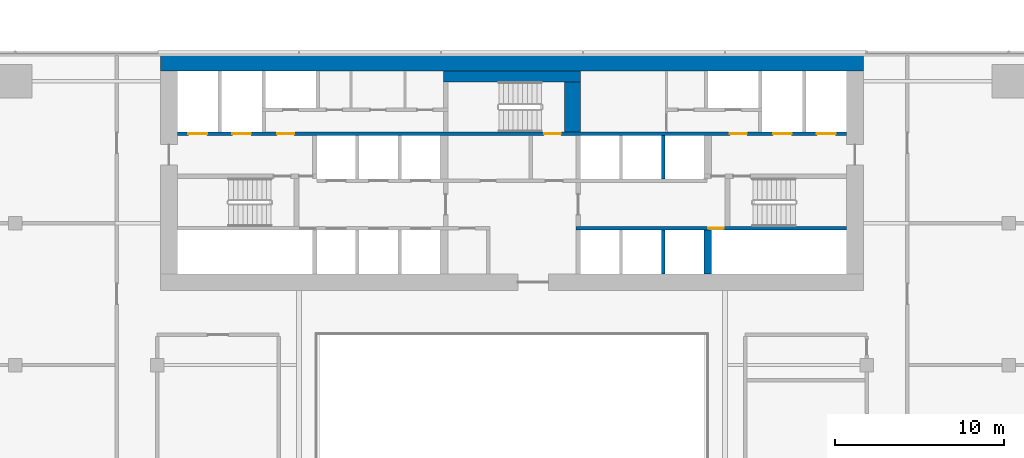
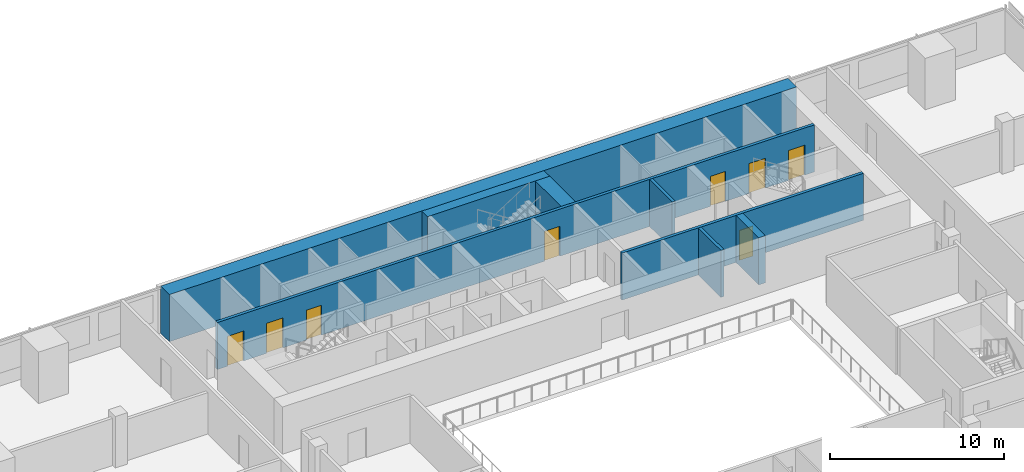
# One storey, part 21 of 26: 8 doors, 8 walls, 8 openings.
"""IFC4 building model written with IfcOpenShell, lengths in metres."""

from ifc_helpers import new_model, si_unit, direction, frame, frame_2d, origin, place, context, subcontext, project, spatial, rectangle, extrude, material, layer, layer_set, type_object, element, fill, save


model = new_model("IFC4")

# Units and contexts
model_context = context("Model", 3, precision=1e-05, world=origin(), true_north=direction((0.0, 1.0)))
body_context = subcontext(model_context, "Body", "Model", "MODEL_VIEW")
ifc_project = project(units=[si_unit("LENGTHUNIT", "METRE"), si_unit("AREAUNIT", "SQUARE_METRE"), si_unit("VOLUMEUNIT", "CUBIC_METRE"), si_unit("PLANEANGLEUNIT", "RADIAN"), si_unit("MASSUNIT", "GRAM", prefix="KILO")], contexts=[model_context])

# Site, building, storey
site_placement = place(None, origin())
site = spatial("IfcSite", under=ifc_project, at=site_placement, CompositionType="ELEMENT")
building_placement = place(site_placement, origin())
building = spatial("IfcBuilding", under=site, at=building_placement, Name="Saffron Gate Tower", CompositionType="ELEMENT")
storey_placement = place(building_placement, frame((0.0, 0.0, 138.449951171875)))
storey = spatial("IfcBuildingStorey", under=building, at=storey_placement, Name="L33", CompositionType="ELEMENT", Elevation=138.449951171875)

# Walls
ifc_material_1 = material(Name="Concrete C70", Category="concrete")
ifc_layer_1 = layer(ifc_material_1, 1.0)
ifc_layer_set_1 = layer_set([ifc_layer_1], Name="CW12 RC core wall 1000 C70")
wall_type_1 = type_object("IfcWallType", Name="CW12 RC core wall 1000 C70", PredefinedType="SOLIDWALL", material=ifc_layer_set_1)
wall_1_placement = place(storey_placement, frame((66.800048828125, 74.89990234375, 0.0), z_axis=(0.0, 0.0, 1.0), x_axis=(1.0, 0.0, 0.0)))
element("IfcWall", 1, at=wall_1_placement, inside=storey, type_object=wall_type_1, Name="Wall CW12-L33-2", PredefinedType="SOLIDWALL", context=body_context, shape_type="SweptSolid", body=[
    extrude(rectangle(XDim=41.599853515625, YDim=1.0, at=frame_2d((20.7998046875, 0.0))), origin(), (0.0, 0.0, 1.0), 3.300048828125),
])
ifc_layer_2 = layer(ifc_material_1, 0.199951171875)
ifc_layer_set_2 = layer_set([ifc_layer_2], Name="CW3 RC core wall 200 C70")
wall_type_2 = type_object("IfcWallType", Name="CW3 RC core wall 200 C70", PredefinedType="SOLIDWALL", material=ifc_layer_set_2)
wall_2_placement = place(storey_placement, frame((96.550048828125, 62.39990234375, 0.0), z_axis=(0.0, 0.0, 1.0), x_axis=(0.0, 1.0, 0.0)))
element("IfcWall", 2, at=wall_2_placement, inside=storey, type_object=wall_type_2, Name="Wall CW3-L33-12", PredefinedType="SOLIDWALL", context=body_context, shape_type="SweptSolid", body=[
    extrude(rectangle(XDim=2.60009765625, YDim=0.199951171875, at=frame_2d((1.300048828125, 0.0))), origin(), (0.0, 0.0, 1.0), 3.300048828125),
])

# Wall, opening, door
wall_3_placement = place(storey_placement, frame((91.39990234375, 65.10009765625, 0.0), z_axis=(0.0, 0.0, 1.0), x_axis=(1.0, 0.0, 0.0)))
wall_3 = element("IfcWall", 3, at=wall_3_placement, inside=storey, type_object=wall_type_2, Name="Wall CW3-L33-15", PredefinedType="SOLIDWALL", context=body_context, shape_type="SweptSolid", body=[
    extrude(rectangle(XDim=16.0, YDim=0.199951171875, at=frame_2d((8.0, 0.0))), origin(), (0.0, 0.0, 1.0), 3.300048828125),
])
opening_1_placement = place(wall_3_placement, frame((7.830078125, 0.0, 0.0)))
opening_1 = element("IfcOpeningElement", 4, at=opening_1_placement, cuts=wall_3, Name="Opening CR-48", PredefinedType="OPENING", context=body_context, shape_type="SweptSolid", body=[
    extrude(rectangle(XDim=0.89990234375, YDim=2.10009765625, at=frame_2d((0.449951171875, 1.050048828125))), frame((0.0, 0.10986328125, 0.0), z_axis=(0.0, -1.0, 0.0), x_axis=(1.0, 0.0, 0.0)), (0.0, 0.0, 1.0), 0.219970703125),
])
ifc_material_2 = material(Name="Steel fire door set", Category="steel")
door_type_1 = type_object("IfcDoorType", Name="CD2 Riser door 900x2100 EI 60", OperationType="NOTDEFINED", PredefinedType="DOOR", material=ifc_material_2)
door_1_placement = place(opening_1_placement, origin())
door_1 = element("IfcDoor", 5, at=door_1_placement, inside=storey, type_object=door_type_1, Name="DOOR CR-48", OperationType="SINGLE_SWING_RIGHT", OverallHeight=2.10009765625, OverallWidth=0.89990234375, PredefinedType="DOOR", context=body_context, shape_type="SweptSolid", body=[
    extrude(rectangle(XDim=0.89990234375, YDim=2.10009765625, at=frame_2d((0.449951171875, 1.050048828125))), frame((0.0, 0.02490234375, 0.0), z_axis=(0.0, -1.0, 0.0), x_axis=(1.0, 0.0, 0.0)), (0.0, 0.0, 1.0), 0.050048828125),
])
fill(opening_1, door_1)

# Wall
wall_4_placement = place(storey_placement, frame((96.550048828125, 68.0, 0.0), z_axis=(0.0, 0.0, 1.0), x_axis=(0.0, 1.0, 0.0)))
element("IfcWall", 6, at=wall_4_placement, inside=storey, type_object=wall_type_2, Name="Wall CW3-L33-27", PredefinedType="SOLIDWALL", context=body_context, shape_type="SweptSolid", body=[
    extrude(rectangle(XDim=2.60009765625, YDim=0.199951171875, at=frame_2d((1.300048828125, 0.0))), origin(), (0.0, 0.0, 1.0), 3.300048828125),
])

# Wall, openings, doors
wall_5_placement = place(storey_placement, frame((67.800048828125, 70.699951171875, 0.0), z_axis=(0.0, 0.0, 1.0), x_axis=(1.0, 0.0, 0.0)))
wall_5 = element("IfcWall", 7, at=wall_5_placement, inside=storey, type_object=wall_type_2, Name="Wall CW3-L33-33", PredefinedType="SOLIDWALL", context=body_context, shape_type="SweptSolid", body=[
    extrude(rectangle(XDim=39.599853515625, YDim=0.199951171875, at=frame_2d((19.7998046875, 0.0))), origin(), (0.0, 0.0, 1.0), 3.300048828125),
])
opening_2_placement = place(wall_5_placement, frame((0.64990234375, 0.0, 0.0)))
opening_2 = element("IfcOpeningElement", 8, at=opening_2_placement, cuts=wall_5, Name="Opening LD-FF1", PredefinedType="OPENING", context=body_context, shape_type="SweptSolid", body=[
    extrude(rectangle(XDim=1.10009765625, YDim=2.10009765625, at=frame_2d((0.550048828125, 1.050048828125))), frame((0.0, 0.10986328125, 0.0), z_axis=(0.0, -1.0, 0.0), x_axis=(1.0, 0.0, 0.0)), (0.0, 0.0, 1.0), 0.219970703125),
])
opening_3_placement = place(wall_5_placement, frame((3.25, 0.0, 0.0)))
opening_3 = element("IfcOpeningElement", 9, at=opening_3_placement, cuts=wall_5, Name="Opening LD-SV1", PredefinedType="OPENING", context=body_context, shape_type="SweptSolid", body=[
    extrude(rectangle(XDim=1.10009765625, YDim=2.10009765625, at=frame_2d((0.550048828125, 1.050048828125))), frame((0.0, 0.10986328125, 0.0), z_axis=(0.0, -1.0, 0.0), x_axis=(1.0, 0.0, 0.0)), (0.0, 0.0, 1.0), 0.219970703125),
])
opening_4_placement = place(wall_5_placement, frame((5.89990234375, 0.0, 0.0)))
opening_4 = element("IfcOpeningElement", 10, at=opening_4_placement, cuts=wall_5, Name="Opening CR-03", PredefinedType="OPENING", context=body_context, shape_type="SweptSolid", body=[
    extrude(rectangle(XDim=1.0, YDim=2.10009765625, at=frame_2d((0.5, 1.050048828125))), frame((0.0, 0.10986328125, 0.0), z_axis=(0.0, -1.0, 0.0), x_axis=(1.0, 0.0, 0.0)), (0.0, 0.0, 1.0), 0.219970703125),
])
opening_5_placement = place(wall_5_placement, frame((21.699951171875, 0.0, 0.0)))
opening_5 = element("IfcOpeningElement", 11, at=opening_5_placement, cuts=wall_5, Name="Opening CR-17", PredefinedType="OPENING", context=body_context, shape_type="SweptSolid", body=[
    extrude(rectangle(XDim=1.0, YDim=2.10009765625, at=frame_2d((0.5, 1.050048828125))), frame((0.0, 0.10986328125, 0.0), z_axis=(0.0, -1.0, 0.0), x_axis=(1.0, 0.0, 0.0)), (0.0, 0.0, 1.0), 0.219970703125),
])
opening_6_placement = place(wall_5_placement, frame((32.699951171875, 0.0, 0.0)))
opening_6 = element("IfcOpeningElement", 12, at=opening_6_placement, cuts=wall_5, Name="Opening CR-04", PredefinedType="OPENING", context=body_context, shape_type="SweptSolid", body=[
    extrude(rectangle(XDim=1.0, YDim=2.10009765625, at=frame_2d((0.5, 1.050048828125))), frame((0.0, 0.10986328125, 0.0), z_axis=(0.0, -1.0, 0.0), x_axis=(1.0, 0.0, 0.0)), (0.0, 0.0, 1.0), 0.219970703125),
])
opening_7_placement = place(wall_5_placement, frame((35.25, 0.0, 0.0)))
opening_7 = element("IfcOpeningElement", 13, at=opening_7_placement, cuts=wall_5, Name="Opening LD-SV2", PredefinedType="OPENING", context=body_context, shape_type="SweptSolid", body=[
    extrude(rectangle(XDim=1.10009765625, YDim=2.10009765625, at=frame_2d((0.550048828125, 1.050048828125))), frame((0.0, 0.10986328125, 0.0), z_axis=(0.0, -1.0, 0.0), x_axis=(1.0, 0.0, 0.0)), (0.0, 0.0, 1.0), 0.219970703125),
])
opening_8_placement = place(wall_5_placement, frame((37.85009765625, 0.0, 0.0)))
opening_8 = element("IfcOpeningElement", 14, at=opening_8_placement, cuts=wall_5, Name="Opening LD-FF2", PredefinedType="OPENING", context=body_context, shape_type="SweptSolid", body=[
    extrude(rectangle(XDim=1.10009765625, YDim=2.10009765625, at=frame_2d((0.550048828125, 1.050048828125))), frame((0.0, 0.10986328125, 0.0), z_axis=(0.0, -1.0, 0.0), x_axis=(1.0, 0.0, 0.0)), (0.0, 0.0, 1.0), 0.219970703125),
])
door_type_2 = type_object("IfcDoorType", Name="CD4 Lobby door 1000x2100 EI 120", OperationType="NOTDEFINED", PredefinedType="DOOR", material=ifc_material_2)
door_2_placement = place(opening_4_placement, origin())
door_2 = element("IfcDoor", 15, at=door_2_placement, inside=storey, type_object=door_type_2, Name="DOOR CR-03", OperationType="SINGLE_SWING_LEFT", OverallHeight=2.10009765625, OverallWidth=1.0, PredefinedType="DOOR", context=body_context, shape_type="SweptSolid", body=[
    extrude(rectangle(XDim=1.0, YDim=2.10009765625, at=frame_2d((0.5, 1.050048828125))), frame((0.0, 0.02490234375, 0.0), z_axis=(0.0, -1.0, 0.0), x_axis=(1.0, 0.0, 0.0)), (0.0, 0.0, 1.0), 0.050048828125),
])
fill(opening_4, door_2)
door_3_placement = place(opening_6_placement, origin())
door_3 = element("IfcDoor", 16, at=door_3_placement, inside=storey, type_object=door_type_2, Name="DOOR CR-04", OperationType="SINGLE_SWING_RIGHT", OverallHeight=2.10009765625, OverallWidth=1.0, PredefinedType="DOOR", context=body_context, shape_type="SweptSolid", body=[
    extrude(rectangle(XDim=1.0, YDim=2.10009765625, at=frame_2d((0.5, 1.050048828125))), frame((0.0, 0.02490234375, 0.0), z_axis=(0.0, -1.0, 0.0), x_axis=(1.0, 0.0, 0.0)), (0.0, 0.0, 1.0), 0.050048828125),
])
fill(opening_6, door_3)
door_type_3 = type_object("IfcDoorType", Name="CD5 Stair door 1000x2100 EI 120", OperationType="NOTDEFINED", PredefinedType="DOOR", material=ifc_material_2)
door_4_placement = place(opening_5_placement, origin())
door_4 = element("IfcDoor", 17, at=door_4_placement, inside=storey, type_object=door_type_3, Name="DOOR CR-17", OperationType="SINGLE_SWING_RIGHT", OverallHeight=2.10009765625, OverallWidth=1.0, PredefinedType="DOOR", context=body_context, shape_type="SweptSolid", body=[
    extrude(rectangle(XDim=1.0, YDim=2.10009765625, at=frame_2d((0.5, 1.050048828125))), frame((0.0, 0.02490234375, 0.0), z_axis=(0.0, -1.0, 0.0), x_axis=(1.0, 0.0, 0.0)), (0.0, 0.0, 1.0), 0.050048828125),
])
fill(opening_5, door_4)
ifc_material_3 = material(Name="Stainless steel landing door", Category="steel")
door_type_4 = type_object("IfcDoorType", Name="LD Lift landing door 1100x2100 EI 120", OperationType="SLIDING_TO_LEFT", PredefinedType="DOOR", material=ifc_material_3)
door_5_placement = place(opening_2_placement, origin())
door_5 = element("IfcDoor", 18, at=door_5_placement, inside=storey, type_object=door_type_4, Name="LANDING DOOR LD-FF1", OperationType="SLIDING_TO_RIGHT", OverallHeight=2.10009765625, OverallWidth=1.10009765625, PredefinedType="DOOR", context=body_context, shape_type="SweptSolid", body=[
    extrude(rectangle(XDim=1.10009765625, YDim=2.10009765625, at=frame_2d((0.550048828125, 1.050048828125))), frame((0.0, 0.02490234375, 0.0), z_axis=(0.0, -1.0, 0.0), x_axis=(1.0, 0.0, 0.0)), (0.0, 0.0, 1.0), 0.050048828125),
])
fill(opening_2, door_5)
door_6_placement = place(opening_3_placement, origin())
door_6 = element("IfcDoor", 19, at=door_6_placement, inside=storey, type_object=door_type_4, Name="LANDING DOOR LD-SV1", OperationType="SLIDING_TO_RIGHT", OverallHeight=2.10009765625, OverallWidth=1.10009765625, PredefinedType="DOOR", context=body_context, shape_type="SweptSolid", body=[
    extrude(rectangle(XDim=1.10009765625, YDim=2.10009765625, at=frame_2d((0.550048828125, 1.050048828125))), frame((0.0, 0.02490234375, 0.0), z_axis=(0.0, -1.0, 0.0), x_axis=(1.0, 0.0, 0.0)), (0.0, 0.0, 1.0), 0.050048828125),
])
fill(opening_3, door_6)
door_7_placement = place(opening_7_placement, origin())
door_7 = element("IfcDoor", 20, at=door_7_placement, inside=storey, type_object=door_type_4, Name="LANDING DOOR LD-SV2", OperationType="SLIDING_TO_RIGHT", OverallHeight=2.10009765625, OverallWidth=1.10009765625, PredefinedType="DOOR", context=body_context, shape_type="SweptSolid", body=[
    extrude(rectangle(XDim=1.10009765625, YDim=2.10009765625, at=frame_2d((0.550048828125, 1.050048828125))), frame((0.0, 0.02490234375, 0.0), z_axis=(0.0, -1.0, 0.0), x_axis=(1.0, 0.0, 0.0)), (0.0, 0.0, 1.0), 0.050048828125),
])
fill(opening_7, door_7)
door_8_placement = place(opening_8_placement, origin())
door_8 = element("IfcDoor", 21, at=door_8_placement, inside=storey, type_object=door_type_4, Name="LANDING DOOR LD-FF2", OperationType="SLIDING_TO_RIGHT", OverallHeight=2.10009765625, OverallWidth=1.10009765625, PredefinedType="DOOR", context=body_context, shape_type="SweptSolid", body=[
    extrude(rectangle(XDim=1.10009765625, YDim=2.10009765625, at=frame_2d((0.550048828125, 1.050048828125))), frame((0.0, 0.02490234375, 0.0), z_axis=(0.0, -1.0, 0.0), x_axis=(1.0, 0.0, 0.0)), (0.0, 0.0, 1.0), 0.050048828125),
])
fill(opening_8, door_8)

# Walls
ifc_layer_3 = layer(ifc_material_1, 0.449951171875)
ifc_layer_set_3 = layer_set([ifc_layer_3], Name="CW4 RC core wall 450 C70")
wall_type_3 = type_object("IfcWallType", Name="CW4 RC core wall 450 C70", PredefinedType="SOLIDWALL", material=ifc_layer_set_3)
wall_6_placement = place(storey_placement, frame((99.175048828125, 62.39990234375, 0.0), z_axis=(0.0, 0.0, 1.0), x_axis=(0.0, 1.0, 0.0)))
element("IfcWall", 22, at=wall_6_placement, inside=storey, type_object=wall_type_3, Name="Wall CW4-L33-13", PredefinedType="SOLIDWALL", context=body_context, shape_type="SweptSolid", body=[
    extrude(rectangle(XDim=2.60009765625, YDim=0.449951171875, at=frame_2d((1.300048828125, 0.0))), origin(), (0.0, 0.0, 1.0), 3.300048828125),
])
ifc_layer_4 = layer(ifc_material_1, 0.949951171875)
ifc_layer_set_4 = layer_set([ifc_layer_4], Name="CW7 RC core wall 950 C70")
wall_type_4 = type_object("IfcWallType", Name="CW7 RC core wall 950 C70", PredefinedType="SOLIDWALL", material=ifc_layer_set_4)
wall_7_placement = place(storey_placement, frame((91.175048828125, 70.800048828125, 0.0), z_axis=(0.0, 0.0, 1.0), x_axis=(0.0, 1.0, 0.0)))
element("IfcWall", 23, at=wall_7_placement, inside=storey, type_object=wall_type_4, Name="Wall CW7-L33-37", PredefinedType="SOLIDWALL", context=body_context, shape_type="SweptSolid", body=[
    extrude(rectangle(XDim=2.949951171875, YDim=0.949951171875, at=frame_2d((1.47509765625, 0.0))), origin(), (0.0, 0.0, 1.0), 3.300048828125),
])
ifc_layer_5 = layer(ifc_material_1, 0.64990234375)
ifc_layer_set_5 = layer_set([ifc_layer_5], Name="CW9 RC core wall 650 C70")
wall_type_5 = type_object("IfcWallType", Name="CW9 RC core wall 650 C70", PredefinedType="SOLIDWALL", material=ifc_layer_set_5)
wall_8_placement = place(storey_placement, frame((83.550048828125, 74.074951171875, 0.0), z_axis=(0.0, 0.0, 1.0), x_axis=(1.0, 0.0, 0.0)))
element("IfcWall", 24, at=wall_8_placement, inside=storey, type_object=wall_type_5, Name="Wall CW9-L33-51", PredefinedType="SOLIDWALL", context=body_context, shape_type="SweptSolid", body=[
    extrude(rectangle(XDim=8.099853515625, YDim=0.64990234375, at=frame_2d((4.0498046875, 0.0))), origin(), (0.0, 0.0, 1.0), 3.300048828125),
])

save(model, "model.ifc")
